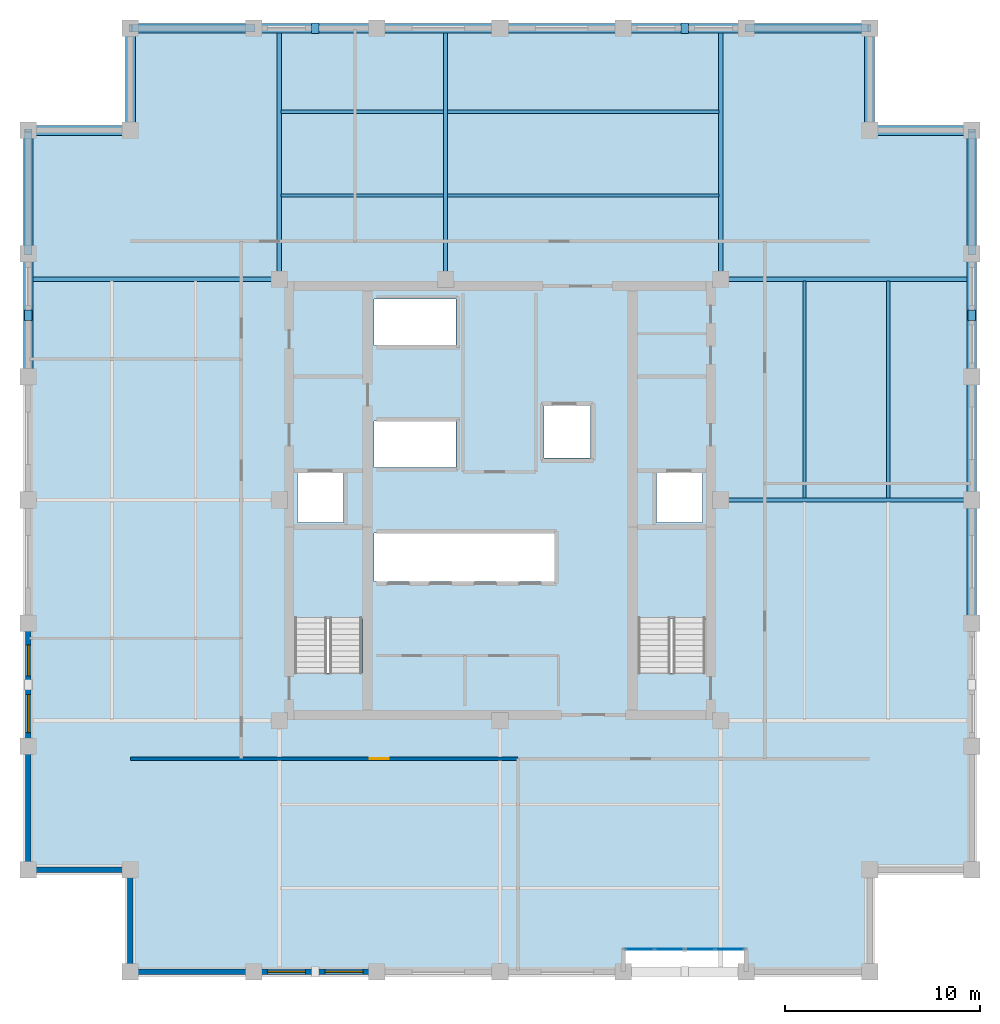
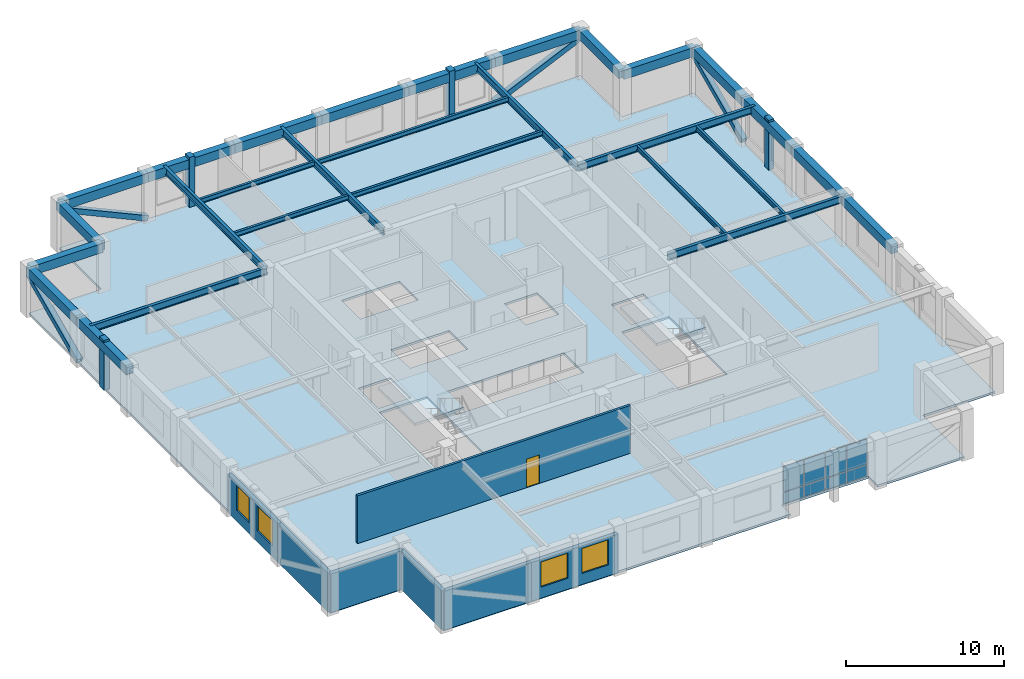
# One storey, part 5 of 10: 28 beams, 8 members, 8 plates, 7 walls, 4 windows, 3 slabs, 1 door, 5 openings, 3 elements without a shape of their own.
"""IFC4 building model written with IfcOpenShell, lengths in metres."""

from ifc_helpers import new_model, si_unit, direction, frame, frame_2d, origin, origin_2d, place, context, subcontext, project, spatial, polyline, rectangle, hollow_rectangle, i_section, outline, extrude, material, layer, layer_set, material_profile, profile_set, type_object, element, fill, aggregate, save


model = new_model("IFC4")

# Units and contexts
model_context = context("Model", 3, precision=1e-05, world=origin(), true_north=direction((0.0, 1.0)))
body_context = subcontext(model_context, "Body", "Model", "MODEL_VIEW")
ifc_project = project(units=[si_unit("LENGTHUNIT", "METRE"), si_unit("AREAUNIT", "SQUARE_METRE"), si_unit("VOLUMEUNIT", "CUBIC_METRE"), si_unit("PLANEANGLEUNIT", "RADIAN"), si_unit("MASSUNIT", "GRAM", prefix="KILO")], contexts=[model_context])

# Site, building, storey
site_placement = place(None, origin())
site = spatial("IfcSite", under=ifc_project, at=site_placement, CompositionType="ELEMENT")
building_placement = place(site_placement, origin())
building = spatial("IfcBuilding", under=site, at=building_placement, Name="Nhamokura Convention Tower", CompositionType="ELEMENT")
storey_placement = place(building_placement, frame((0.0, 0.0, 210.0)))
storey = spatial("IfcBuildingStorey", under=building, at=storey_placement, Name="L51", CompositionType="ELEMENT", Elevation=210.0)

# Members
ifc_material_1 = material(Name="Bronze-pigmented precast concrete C45/55", Category="concrete")
ifc_material_profile_1 = material_profile(ifc_material_1, rectangle(XDim=0.39990234375, YDim=0.550048828125, at=origin_2d()))
ifc_profile_set_1 = profile_set([ifc_material_profile_1], Name="Bronze-pigmented precast concrete C45/55")
member_type_1 = type_object("IfcMemberType", Name="BronzePilaster_550", PredefinedType="USERDEFINED", material=ifc_profile_set_1)
for number, where, z_axis, x_axis, name in (
    (1, (22.5, 56.25, 0.0), (0.0, 0.0, 1.0), (1.0, 0.0, 0.0), "L51 Engaged Frame Pilaster NORTH 1"),
    (2, (41.5, 56.25, 0.0), (0.0, 0.0, 1.0), (1.0, 0.0, 0.0), "L51 Engaged Frame Pilaster NORTH 4"),
    (3, (7.75, 41.5, 0.0), (0.0, 0.0, 1.0), (1.0, 0.0, 0.0), "L51 Engaged Frame Pilaster WEST 4"),
    (4, (56.25, 41.5, 0.0), (0.0, 0.0, 1.0), (1.0, 0.0, 0.0), "L51 Engaged Frame Pilaster EAST 4"),
):
    element("IfcMember", number, at=place(storey_placement, frame(where, z_axis=z_axis, x_axis=x_axis)), inside=storey, type_object=member_type_1, Name=name, ObjectType="PILASTER_TRIM", PredefinedType="USERDEFINED", context=body_context, shape_type="SweptSolid", body=[
        extrude(rectangle(XDim=0.39990234375, YDim=0.550048828125, at=origin_2d()), origin(), (0.0, 0.0, 1.0), 3.85009765625),
    ])

# Beams
ifc_material_2 = material(Name="Steel ASTM A992 Gr 50", Category="steel")
ifc_material_profile_2 = material_profile(ifc_material_2, i_section(OverallWidth=0.172119140625, OverallDepth=0.35791015625, WebThickness=0.0078125, FlangeThickness=0.01318359375, at=origin_2d()))
ifc_profile_set_2 = profile_set([ifc_material_profile_2], Name="Steel ASTM A992 Gr 50")
beam_type_1 = type_object("IfcBeamType", Name="FloorJoist_W360X57", PredefinedType="JOIST", material=ifc_profile_set_2)
beam_1_placement = place(storey_placement, frame((20.75341796875, 47.64990234375, 3.506103515625), z_axis=(1.0, 0.0, 0.0), x_axis=(0.0, 1.0, 0.0)))
element("IfcBeam", 5, at=beam_1_placement, inside=storey, type_object=beam_type_1, Name="L51 Composite Floor Joist N1A", PredefinedType="JOIST", context=body_context, shape_type="SweptSolid", body=[
    extrude(i_section(OverallWidth=0.172119140625, OverallDepth=0.35791015625, WebThickness=0.0078125, FlangeThickness=0.01318359375, at=origin_2d()), origin(), (0.0, 0.0, 1.0), 8.343017578125),
])
beam_2_placement = place(storey_placement, frame((29.303466796875, 47.64990234375, 3.506103515625), z_axis=(1.0, 0.0, 0.0), x_axis=(0.0, 1.0, 0.0)))
element("IfcBeam", 6, at=beam_2_placement, inside=storey, type_object=beam_type_1, Name="L51 Composite Floor Joist N1B", PredefinedType="JOIST", context=body_context, shape_type="SweptSolid", body=[
    extrude(i_section(OverallWidth=0.172119140625, OverallDepth=0.35791015625, WebThickness=0.0078125, FlangeThickness=0.01318359375, at=origin_2d()), origin(), (0.0, 0.0, 1.0), 13.943115234375),
])
beam_3_placement = place(storey_placement, frame((20.75341796875, 51.949951171875, 3.506103515625), z_axis=(1.0, 0.0, 0.0), x_axis=(0.0, 1.0, 0.0)))
element("IfcBeam", 7, at=beam_3_placement, inside=storey, type_object=beam_type_1, Name="L51 Composite Floor Joist N2A", PredefinedType="JOIST", context=body_context, shape_type="SweptSolid", body=[
    extrude(i_section(OverallWidth=0.172119140625, OverallDepth=0.35791015625, WebThickness=0.0078125, FlangeThickness=0.01318359375, at=origin_2d()), origin(), (0.0, 0.0, 1.0), 8.343017578125),
])
beam_4_placement = place(storey_placement, frame((29.303466796875, 51.949951171875, 3.506103515625), z_axis=(1.0, 0.0, 0.0), x_axis=(0.0, 1.0, 0.0)))
element("IfcBeam", 8, at=beam_4_placement, inside=storey, type_object=beam_type_1, Name="L51 Composite Floor Joist N2B", PredefinedType="JOIST", context=body_context, shape_type="SweptSolid", body=[
    extrude(i_section(OverallWidth=0.172119140625, OverallDepth=0.35791015625, WebThickness=0.0078125, FlangeThickness=0.01318359375, at=origin_2d()), origin(), (0.0, 0.0, 1.0), 13.943115234375),
])
for number, where, z_axis, x_axis, name in (
    (9, (47.64990234375, 32.103515625, 3.506103515625), (0.0, 1.0, 0.0), (-1.0, 0.0, 0.0), "L51 Composite Floor Joist E1B"),
    (10, (51.949951171875, 32.103515625, 3.506103515625), (0.0, 1.0, 0.0), (-1.0, 0.0, 0.0), "L51 Composite Floor Joist E2B"),
):
    element("IfcBeam", number, at=place(storey_placement, frame(where, z_axis=z_axis, x_axis=x_axis)), inside=storey, type_object=beam_type_1, Name=name, PredefinedType="JOIST", context=body_context, shape_type="SweptSolid", body=[
        extrude(i_section(OverallWidth=0.172119140625, OverallDepth=0.35791015625, WebThickness=0.0078125, FlangeThickness=0.01318359375, at=origin_2d()), origin(), (0.0, 0.0, 1.0), 11.14306640625),
    ])
ifc_material_3 = material(Name="Steel ASTM A992 Gr 50", Category="steel")
ifc_material_profile_3 = material_profile(ifc_material_3, i_section(OverallWidth=0.2109375, OverallDepth=0.5390625, WebThickness=0.01171875, FlangeThickness=0.018798828125, at=origin_2d()))
ifc_profile_set_3 = profile_set([ifc_material_profile_3], Name="Steel ASTM A992 Gr 50")
beam_type_2 = type_object("IfcBeamType", Name="PrimaryGirder_W530X109", PredefinedType="BEAM", material=ifc_profile_set_3)
for number, where, z_axis, x_axis, name in (
    (11, (20.64990234375, 43.35009765625, 3.41552734375), (0.0, 1.0, 0.0), (-1.0, 0.0, 0.0), "L51 Primary Floor Girder PG-N1"),
    (12, (29.199951171875, 43.35009765625, 3.41552734375), (0.0, 1.0, 0.0), (-1.0, 0.0, 0.0), "L51 Primary Floor Girder PG-N2"),
    (13, (43.35009765625, 43.35009765625, 3.41552734375), (0.0, 1.0, 0.0), (-1.0, 0.0, 0.0), "L51 Primary Floor Girder PG-N3"),
    (14, (7.75, 43.35009765625, 3.41552734375), (1.0, 0.0, 0.0), (0.0, 1.0, 0.0), "L51 Primary Floor Girder PG-W3"),
    (15, (43.35009765625, 32.0, 3.41552734375), (1.0, 0.0, 0.0), (0.0, 1.0, 0.0), "L51 Primary Floor Girder PG-E2"),
    (16, (43.35009765625, 43.35009765625, 3.41552734375), (1.0, 0.0, 0.0), (0.0, 1.0, 0.0), "L51 Primary Floor Girder PG-E3"),
):
    element("IfcBeam", number, at=place(storey_placement, frame(where, z_axis=z_axis, x_axis=x_axis)), inside=storey, type_object=beam_type_2, Name=name, PredefinedType="BEAM", context=body_context, shape_type="SweptSolid", body=[
        extrude(i_section(OverallWidth=0.2109375, OverallDepth=0.5390625, WebThickness=0.01171875, FlangeThickness=0.018798828125, at=origin_2d()), origin(), (0.0, 0.0, 1.0), 12.89990234375),
    ])

# Members
ifc_material_4 = material(Name="Steel ASTM A572 Gr 50", Category="steel")
ifc_material_profile_4 = material_profile(ifc_material_4, hollow_rectangle(XDim=0.39990234375, YDim=0.39990234375, WallThickness=0.02001953125, at=origin_2d()))
ifc_profile_set_4 = profile_set([ifc_material_profile_4], Name="Steel ASTM A572 Gr 50")
member_type_2 = type_object("IfcMemberType", Name="TubeBrace_HSS400", PredefinedType="BRACE", material=ifc_profile_set_4)
for number, where, z_axis, x_axis, name in (
    (17, (19.333251953125, 56.25, 0.14990234375), (-0.910027379678, 0.0, 0.41454814948), (0.0, -1.0, 0.0), "L51 Perimeter Tube Brace NORTH Bay 0"),
    (18, (44.666748046875, 56.25, 0.14990234375), (0.910027379678, 0.0, 0.41454814948), (0.0, 1.0, 0.0), "L51 Perimeter Tube Brace NORTH Bay 5"),
    (19, (7.75, 44.666748046875, 0.14990234375), (0.0, 0.910027379678, 0.41454814948), (-1.0, 0.0, 0.0), "L51 Perimeter Tube Brace WEST Bay 5"),
    (20, (56.25, 44.666748046875, 0.14990234375), (0.0, 0.910027379678, 0.41454814948), (-1.0, 0.0, 0.0), "L51 Perimeter Tube Brace EAST Bay 5"),
):
    element("IfcMember", number, at=place(storey_placement, frame(where, z_axis=z_axis, x_axis=x_axis)), inside=storey, type_object=member_type_2, Name=name, PredefinedType="BRACE", context=body_context, shape_type="SweptSolid", body=[
        extrude(hollow_rectangle(XDim=0.39990234375, YDim=0.39990234375, WallThickness=0.02001953125, at=origin_2d()), origin(), (0.0, 0.0, 1.0), 6.95947265625),
    ])

# Beams
ifc_material_5 = material(Name="Concrete C50/60", Category="concrete")
ifc_material_profile_5 = material_profile(ifc_material_5, rectangle(XDim=0.5, YDim=0.699951171875, at=origin_2d()))
ifc_profile_set_5 = profile_set([ifc_material_profile_5], Name="Concrete C50/60")
beam_type_3 = type_object("IfcBeamType", Name="TubeSpandrel_700", PredefinedType="SPANDREL", material=ifc_profile_set_5)
beam_5_placement = place(storey_placement, frame((13.0, 56.25, 3.3349609375), z_axis=(1.0, 0.0, 0.0), x_axis=(0.0, 1.0, 0.0)))
element("IfcBeam", 21, at=beam_5_placement, inside=storey, type_object=beam_type_3, Name="L51 Perimeter Spandrel NORTH 1", PredefinedType="SPANDREL", context=body_context, shape_type="SweptSolid", body=[
    extrude(rectangle(XDim=0.5, YDim=0.699951171875, at=origin_2d()), origin(), (0.0, 0.0, 1.0), 6.333251953125),
])
beam_6_placement = place(storey_placement, frame((19.333251953125, 56.25, 3.3349609375), z_axis=(1.0, 0.0, 0.0), x_axis=(0.0, 1.0, 0.0)))
element("IfcBeam", 22, at=beam_6_placement, inside=storey, type_object=beam_type_3, Name="L51 Perimeter Spandrel NORTH 2", PredefinedType="SPANDREL", context=body_context, shape_type="SweptSolid", body=[
    extrude(rectangle(XDim=0.5, YDim=0.699951171875, at=origin_2d()), origin(), (0.0, 0.0, 1.0), 6.33349609375),
])
for number, where, z_axis, x_axis, name in (
    (23, (25.666748046875, 56.25, 3.3349609375), (1.0, 0.0, 0.0), (0.0, 1.0, 0.0), "L51 Perimeter Spandrel NORTH 3"),
    (24, (32.0, 56.25, 3.3349609375), (1.0, 0.0, 0.0), (0.0, 1.0, 0.0), "L51 Perimeter Spandrel NORTH 4"),
):
    element("IfcBeam", number, at=place(storey_placement, frame(where, z_axis=z_axis, x_axis=x_axis)), inside=storey, type_object=beam_type_3, Name=name, PredefinedType="SPANDREL", context=body_context, shape_type="SweptSolid", body=[
        extrude(rectangle(XDim=0.5, YDim=0.699951171875, at=origin_2d()), origin(), (0.0, 0.0, 1.0), 6.333251953125),
    ])
beam_7_placement = place(storey_placement, frame((38.333251953125, 56.25, 3.3349609375), z_axis=(1.0, 0.0, 0.0), x_axis=(0.0, 1.0, 0.0)))
element("IfcBeam", 25, at=beam_7_placement, inside=storey, type_object=beam_type_3, Name="L51 Perimeter Spandrel NORTH 5", PredefinedType="SPANDREL", context=body_context, shape_type="SweptSolid", body=[
    extrude(rectangle(XDim=0.5, YDim=0.699951171875, at=origin_2d()), origin(), (0.0, 0.0, 1.0), 6.33349609375),
])
beam_8_placement = place(storey_placement, frame((44.666748046875, 56.25, 3.3349609375), z_axis=(1.0, 0.0, 0.0), x_axis=(0.0, 1.0, 0.0)))
element("IfcBeam", 26, at=beam_8_placement, inside=storey, type_object=beam_type_3, Name="L51 Perimeter Spandrel NORTH 6", PredefinedType="SPANDREL", context=body_context, shape_type="SweptSolid", body=[
    extrude(rectangle(XDim=0.5, YDim=0.699951171875, at=origin_2d()), origin(), (0.0, 0.0, 1.0), 6.333251953125),
])
beam_9_placement = place(storey_placement, frame((7.75, 38.333251953125, 3.3349609375), z_axis=(0.0, 1.0, 0.0), x_axis=(-1.0, 0.0, 0.0)))
element("IfcBeam", 27, at=beam_9_placement, inside=storey, type_object=beam_type_3, Name="L51 Perimeter Spandrel WEST 5", PredefinedType="SPANDREL", context=body_context, shape_type="SweptSolid", body=[
    extrude(rectangle(XDim=0.5, YDim=0.699951171875, at=origin_2d()), origin(), (0.0, 0.0, 1.0), 6.33349609375),
])
for number, where, z_axis, x_axis, name in (
    (28, (7.75, 44.666748046875, 3.3349609375), (0.0, 1.0, 0.0), (-1.0, 0.0, 0.0), "L51 Perimeter Spandrel WEST 6"),
    (29, (56.25, 25.666748046875, 3.3349609375), (0.0, 1.0, 0.0), (-1.0, 0.0, 0.0), "L51 Perimeter Spandrel EAST 3"),
    (30, (56.25, 32.0, 3.3349609375), (0.0, 1.0, 0.0), (-1.0, 0.0, 0.0), "L51 Perimeter Spandrel EAST 4"),
):
    element("IfcBeam", number, at=place(storey_placement, frame(where, z_axis=z_axis, x_axis=x_axis)), inside=storey, type_object=beam_type_3, Name=name, PredefinedType="SPANDREL", context=body_context, shape_type="SweptSolid", body=[
        extrude(rectangle(XDim=0.5, YDim=0.699951171875, at=origin_2d()), origin(), (0.0, 0.0, 1.0), 6.333251953125),
    ])
beam_10_placement = place(storey_placement, frame((56.25, 38.333251953125, 3.3349609375), z_axis=(0.0, 1.0, 0.0), x_axis=(-1.0, 0.0, 0.0)))
element("IfcBeam", 31, at=beam_10_placement, inside=storey, type_object=beam_type_3, Name="L51 Perimeter Spandrel EAST 5", PredefinedType="SPANDREL", context=body_context, shape_type="SweptSolid", body=[
    extrude(rectangle(XDim=0.5, YDim=0.699951171875, at=origin_2d()), origin(), (0.0, 0.0, 1.0), 6.33349609375),
])
beam_11_placement = place(storey_placement, frame((56.25, 44.666748046875, 3.3349609375), z_axis=(0.0, 1.0, 0.0), x_axis=(-1.0, 0.0, 0.0)))
element("IfcBeam", 32, at=beam_11_placement, inside=storey, type_object=beam_type_3, Name="L51 Perimeter Spandrel EAST 6", PredefinedType="SPANDREL", context=body_context, shape_type="SweptSolid", body=[
    extrude(rectangle(XDim=0.5, YDim=0.699951171875, at=origin_2d()), origin(), (0.0, 0.0, 1.0), 6.333251953125),
])
for number, where, z_axis, x_axis, name in (
    (33, (56.25, 51.0, 3.3349609375), (-1.0, 0.0, 0.0), (0.0, -1.0, 0.0), "L51 Notch Spandrel NE1"),
    (34, (51.0, 51.0, 3.3349609375), (0.0, 1.0, 0.0), (-1.0, 0.0, 0.0), "L51 Notch Spandrel NE2"),
    (35, (13.0, 56.25, 3.3349609375), (0.0, -1.0, 0.0), (1.0, 0.0, 0.0), "L51 Notch Spandrel NW1"),
    (36, (13.0, 51.0, 3.3349609375), (-1.0, 0.0, 0.0), (0.0, -1.0, 0.0), "L51 Notch Spandrel NW2"),
):
    element("IfcBeam", number, at=place(storey_placement, frame(where, z_axis=z_axis, x_axis=x_axis)), inside=storey, type_object=beam_type_3, Name=name, PredefinedType="SPANDREL", context=body_context, shape_type="SweptSolid", body=[
        extrude(rectangle(XDim=0.5, YDim=0.699951171875, at=origin_2d()), origin(), (0.0, 0.0, 1.0), 5.25),
    ])

# Curtain wall, plates
ifc_material_6 = material(Name="Anodised bronze aluminium AA6063-T6", Category="aluminium")
ifc_layer_1 = layer(ifc_material_6, 0.155029296875)
ifc_layer_set_1 = layer_set([ifc_layer_1], Name="CWSystem_ScaleSlot_Zone3")
curtain_wall_type = type_object("IfcCurtainWallType", Name="CWSystem_ScaleSlot_Zone3", PredefinedType="NOTDEFINED", material=ifc_layer_set_1)
curtain_wall_placement = place(storey_placement, origin())
curtain_wall = element("IfcCurtainWall", 37, at=curtain_wall_placement, inside=storey, type_object=curtain_wall_type, Name="L51 Curtain Wall ENV-L51-SLOT-S4", PredefinedType="NOTDEFINED")
ifc_material_7 = material(Name="Solar-control bronze low-E double glass", Category="glass")
ifc_layer_2 = layer(ifc_material_7, 0.0400390625)
ifc_layer_set_2 = layer_set([ifc_layer_2], Name="CWGlazedPanel_3")
plate_type = type_object("IfcPlateType", Name="CWGlazedPanel_3", PredefinedType="CURTAIN_PANEL", material=ifc_layer_set_2)
plate_1_placement = place(storey_placement, frame((43.813720703125, 8.89990234375, 0.06494140625), z_axis=(0.0, 0.0, 1.0), x_axis=(-1.0, 0.0, 0.0)))
plate_1 = element("IfcPlate", 38, at=plate_1_placement, type_object=plate_type, Name="CW-05 panel 1.1", PredefinedType="CURTAIN_PANEL", context=body_context, shape_type="SweptSolid", body=[
    extrude(rectangle(XDim=1.455810546875, YDim=0.0400390625, at=origin_2d()), origin(), (0.0, 0.0, 1.0), 0.8525390625),
])
plate_2_placement = place(storey_placement, frame((43.813720703125, 8.89990234375, 0.982421875), z_axis=(0.0, 0.0, 1.0), x_axis=(-1.0, 0.0, 0.0)))
plate_2 = element("IfcPlate", 39, at=plate_2_placement, type_object=plate_type, Name="CW-05 panel 1.2", PredefinedType="CURTAIN_PANEL", context=body_context, shape_type="SweptSolid", body=[
    extrude(rectangle(XDim=1.455810546875, YDim=0.0400390625, at=origin_2d()), origin(), (0.0, 0.0, 1.0), 1.9375),
])
plate_3_placement = place(storey_placement, frame((42.276611328125, 8.89990234375, 0.06494140625), z_axis=(0.0, 0.0, 1.0), x_axis=(-1.0, 0.0, 0.0)))
plate_3 = element("IfcPlate", 40, at=plate_3_placement, type_object=plate_type, Name="CW-05 panel 2.1", PredefinedType="CURTAIN_PANEL", context=body_context, shape_type="SweptSolid", body=[
    extrude(rectangle(XDim=1.48828125, YDim=0.0400390625, at=origin_2d()), origin(), (0.0, 0.0, 1.0), 0.8525390625),
])
plate_4_placement = place(storey_placement, frame((42.276611328125, 8.89990234375, 0.982421875), z_axis=(0.0, 0.0, 1.0), x_axis=(-1.0, 0.0, 0.0)))
plate_4 = element("IfcPlate", 41, at=plate_4_placement, type_object=plate_type, Name="CW-05 panel 2.2", PredefinedType="CURTAIN_PANEL", context=body_context, shape_type="SweptSolid", body=[
    extrude(rectangle(XDim=1.48828125, YDim=0.0400390625, at=origin_2d()), origin(), (0.0, 0.0, 1.0), 1.9375),
])
plate_5_placement = place(storey_placement, frame((40.723388671875, 8.89990234375, 0.06494140625), z_axis=(0.0, 0.0, 1.0), x_axis=(-1.0, 0.0, 0.0)))
plate_5 = element("IfcPlate", 42, at=plate_5_placement, type_object=plate_type, Name="CW-05 panel 3.1", PredefinedType="CURTAIN_PANEL", context=body_context, shape_type="SweptSolid", body=[
    extrude(rectangle(XDim=1.48828125, YDim=0.0400390625, at=origin_2d()), origin(), (0.0, 0.0, 1.0), 0.8525390625),
])
plate_6_placement = place(storey_placement, frame((40.723388671875, 8.89990234375, 0.982421875), z_axis=(0.0, 0.0, 1.0), x_axis=(-1.0, 0.0, 0.0)))
plate_6 = element("IfcPlate", 43, at=plate_6_placement, type_object=plate_type, Name="CW-05 panel 3.2", PredefinedType="CURTAIN_PANEL", context=body_context, shape_type="SweptSolid", body=[
    extrude(rectangle(XDim=1.48828125, YDim=0.0400390625, at=origin_2d()), origin(), (0.0, 0.0, 1.0), 1.9375),
])
plate_7_placement = place(storey_placement, frame((39.186279296875, 8.89990234375, 0.06494140625), z_axis=(0.0, 0.0, 1.0), x_axis=(-1.0, 0.0, 0.0)))
plate_7 = element("IfcPlate", 44, at=plate_7_placement, type_object=plate_type, Name="CW-05 panel 4.1", PredefinedType="CURTAIN_PANEL", context=body_context, shape_type="SweptSolid", body=[
    extrude(rectangle(XDim=1.455810546875, YDim=0.0400390625, at=origin_2d()), origin(), (0.0, 0.0, 1.0), 0.8525390625),
])
plate_8_placement = place(storey_placement, frame((39.186279296875, 8.89990234375, 0.982421875), z_axis=(0.0, 0.0, 1.0), x_axis=(-1.0, 0.0, 0.0)))
plate_8 = element("IfcPlate", 45, at=plate_8_placement, type_object=plate_type, Name="CW-05 panel 4.2", PredefinedType="CURTAIN_PANEL", context=body_context, shape_type="SweptSolid", body=[
    extrude(rectangle(XDim=1.455810546875, YDim=0.0400390625, at=origin_2d()), origin(), (0.0, 0.0, 1.0), 1.9375),
])
aggregate(curtain_wall, [plate_1, plate_2, plate_3, plate_4, plate_5, plate_6, plate_7, plate_8])

# Slab
ifc_material_8 = material(Name="Concrete C40/50", Category="concrete")
ifc_layer_3 = layer(ifc_material_8, 0.1650390625)
ifc_layer_set_3 = layer_set([ifc_layer_3], Name="OfficeFloorSlab_165")
slab_type_1 = type_object("IfcSlabType", Name="OfficeFloorSlab_165", PredefinedType="FLOOR", material=ifc_layer_set_3)
slab_1_placement = place(storey_placement, frame((0.0, 0.0, -0.1650390625)))
element("IfcSlab", 46, at=slab_1_placement, inside=storey, type_object=slab_type_1, Name="L51 Structural Floor Slab", PredefinedType="FLOOR", context=body_context, shape_type="SweptSolid", body=[
    extrude(outline(polyline([(13.0, 7.75), (38.333251953125, 7.75), (38.333251953125, 8.89990234375), (44.666748046875, 8.89990234375), (44.666748046875, 7.75), (51.0, 7.75), (51.0, 13.0), (56.25, 13.0), (56.25, 51.0), (51.0, 51.0), (51.0, 56.25), (13.0, 56.25), (13.0, 51.0), (7.75, 51.0), (7.75, 13.0), (13.0, 13.0), (13.0, 7.75)]), holes=[polyline([(24.89990234375, 23.10009765625), (24.89990234375, 30.449951171875), (21.449951171875, 30.449951171875), (21.449951171875, 23.10009765625), (24.89990234375, 23.10009765625)]), polyline([(42.550048828125, 23.10009765625), (42.550048828125, 30.449951171875), (39.10009765625, 30.449951171875), (39.10009765625, 23.10009765625), (42.550048828125, 23.10009765625)]), polyline([(21.60009765625, 30.85009765625), (23.949951171875, 30.85009765625), (23.949951171875, 33.39990234375), (21.60009765625, 33.39990234375), (21.60009765625, 30.85009765625)]), polyline([(40.050048828125, 30.85009765625), (42.39990234375, 30.85009765625), (42.39990234375, 33.39990234375), (40.050048828125, 33.39990234375), (40.050048828125, 30.85009765625)]), polyline([(34.25, 34.14990234375), (36.64990234375, 34.14990234375), (36.64990234375, 36.85009765625), (34.25, 36.85009765625), (34.25, 34.14990234375)]), polyline([(25.52001953125, 27.800048828125), (34.800048828125, 27.800048828125), (34.800048828125, 30.300048828125), (25.52001953125, 30.300048828125), (25.52001953125, 27.800048828125)]), polyline([(25.52001953125, 33.679931640625), (29.75, 33.679931640625), (29.75, 36.050048828125), (25.52001953125, 36.050048828125), (25.52001953125, 33.679931640625)]), polyline([(25.52001953125, 39.949951171875), (29.75, 39.949951171875), (29.75, 42.320068359375), (25.52001953125, 42.320068359375), (25.52001953125, 39.949951171875)])]), origin(), (0.0, 0.0, 1.0), 0.1650390625),
])

# Stair, slab
ifc_material_9 = material(Name="Concrete C40/50", Category="concrete")
stair_type = type_object("IfcStairType", Name="TowerCoreStair_1650", PredefinedType="HALF_TURN_STAIR", material=ifc_material_9)
stair_1_placement = place(storey_placement, origin())
stair_1 = element("IfcStair", 47, at=stair_1_placement, inside=storey, type_object=stair_type, Name="L51 West Core Smokeproof Stair ST-01", PredefinedType="HALF_TURN_STAIR")
ifc_material_10 = material(Name="Concrete C40/50", Category="concrete")
ifc_layer_4 = layer(ifc_material_10, 0.199951171875)
ifc_layer_set_4 = layer_set([ifc_layer_4], Name="StairLandingSlab_200")
slab_type_2 = type_object("IfcSlabType", Name="StairLandingSlab_200", PredefinedType="LANDING", material=ifc_layer_set_4)
slab_2_placement = place(storey_placement, frame((0.0, 0.0, 1.72509765625)))
slab_2 = element("IfcSlab", 48, at=slab_2_placement, type_object=slab_type_2, Name="ST-01 landing 1", PredefinedType="LANDING", context=body_context, shape_type="SweptSolid", body=[
    extrude(outline(polyline([(24.97998046875, 25.8701171875), (24.97998046875, 30.530029296875), (21.3701171875, 30.530029296875), (21.3701171875, 25.8701171875), (24.97998046875, 25.8701171875)])), origin(), (0.0, 0.0, 1.0), 0.199951171875),
])
aggregate(stair_1, [slab_2])

stair_2_placement = place(storey_placement, origin())
stair_2 = element("IfcStair", 49, at=stair_2_placement, inside=storey, type_object=stair_type, Name="L51 East Core Smokeproof Stair ST-02", PredefinedType="HALF_TURN_STAIR")
slab_3_placement = place(storey_placement, frame((0.0, 0.0, 1.72509765625)))
slab_3 = element("IfcSlab", 50, at=slab_3_placement, type_object=slab_type_2, Name="ST-02 landing 1", PredefinedType="LANDING", context=body_context, shape_type="SweptSolid", body=[
    extrude(outline(polyline([(42.6298828125, 25.8701171875), (42.6298828125, 30.530029296875), (39.02001953125, 30.530029296875), (39.02001953125, 25.8701171875), (42.6298828125, 25.8701171875)])), origin(), (0.0, 0.0, 1.0), 0.199951171875),
])
aggregate(stair_2, [slab_3])

# Wall
ifc_material_11 = material(Name="Bronze-pigmented precast concrete C45/55", Category="concrete")
ifc_layer_5 = layer(ifc_material_11, 0.280029296875)
ifc_layer_set_5 = layer_set([ifc_layer_5], Name="BronzePrecastSpandrel_280")
wall_type_1 = type_object("IfcWallType", Name="BronzePrecastSpandrel_280", PredefinedType="USERDEFINED", material=ifc_layer_set_5)
wall_1_placement = place(storey_placement, frame((19.333251953125, 7.75, 0.0), z_axis=(0.0, 0.0, 1.0), x_axis=(-1.0, 0.0, 0.0)))
element("IfcWall", 51, at=wall_1_placement, inside=storey, type_object=wall_type_1, Name="L51 Braced-Bay Precast Wall SOUTH 0", ObjectType="SPANDREL_WALL", PredefinedType="USERDEFINED", context=body_context, shape_type="SweptSolid", body=[
    extrude(rectangle(XDim=6.333251953125, YDim=0.280029296875, at=frame_2d((3.16650390625, 0.0))), origin(), (0.0, 0.0, 1.0), 2.985107421875),
])

# Wall, openings, windows
wall_2_placement = place(storey_placement, frame((25.666748046875, 7.75, 0.0), z_axis=(0.0, 0.0, 1.0), x_axis=(-1.0, 0.0, 0.0)))
wall_2 = element("IfcWall", 52, at=wall_2_placement, inside=storey, type_object=wall_type_1, Name="L51 Masonry-Frame Wall SOUTH 1", ObjectType="SPANDREL_WALL", PredefinedType="USERDEFINED", context=body_context, shape_type="SweptSolid", body=[
    extrude(rectangle(XDim=6.33349609375, YDim=0.280029296875, at=frame_2d((3.166748046875, 0.0))), origin(), (0.0, 0.0, 1.0), 2.985107421875),
])
opening_1_placement = place(wall_2_placement, frame((0.708251953125, 0.0, 0.85009765625)))
opening_1 = element("IfcOpeningElement", 53, at=opening_1_placement, cuts=wall_2, Name="Opening W-08", PredefinedType="OPENING", context=body_context, shape_type="SweptSolid", body=[
    extrude(rectangle(XDim=1.949951171875, YDim=1.93505859375, at=frame_2d((0.97509765625, 0.967529296875))), frame((0.0, 0.14990234375, 0.0), z_axis=(0.0, -1.0, 0.0), x_axis=(1.0, 0.0, 0.0)), (0.0, 0.0, 1.0), 0.300048828125),
])
opening_2_placement = place(wall_2_placement, frame((3.675048828125, 0.0, 0.85009765625)))
opening_2 = element("IfcOpeningElement", 54, at=opening_2_placement, cuts=wall_2, Name="Opening W-08", PredefinedType="OPENING", context=body_context, shape_type="SweptSolid", body=[
    extrude(rectangle(XDim=1.949951171875, YDim=1.93505859375, at=frame_2d((0.97509765625, 0.967529296875))), frame((0.0, 0.14990234375, 0.0), z_axis=(0.0, -1.0, 0.0), x_axis=(1.0, 0.0, 0.0)), (0.0, 0.0, 1.0), 0.300048828125),
])
ifc_material_12 = material(Name="Solar-control bronze low-E double glass", Category="glass")
window_type_1 = type_object("IfcWindowType", Name="OfficeModuleWindow_Z3_1950", PartitioningType="SINGLE_PANEL", PredefinedType="WINDOW", material=ifc_material_12)
window_1_placement = place(opening_1_placement, origin())
window_1 = element("IfcWindow", 55, at=window_1_placement, inside=storey, type_object=window_type_1, Name="L51 Facade Window SOUTH 1-1", OverallHeight=1.93505859375, OverallWidth=1.949951171875, PartitioningType="SINGLE_PANEL", PredefinedType="WINDOW", context=body_context, shape_type="SweptSolid", body=[
    extrude(rectangle(XDim=1.949951171875, YDim=1.93505859375, at=frame_2d((0.97509765625, 0.967529296875))), frame((0.0, 0.030029296875, 0.0), z_axis=(0.0, -1.0, 0.0), x_axis=(1.0, 0.0, 0.0)), (0.0, 0.0, 1.0), 0.06005859375),
])
fill(opening_1, window_1)
window_2_placement = place(opening_2_placement, origin())
window_2 = element("IfcWindow", 56, at=window_2_placement, inside=storey, type_object=window_type_1, Name="L51 Facade Window SOUTH 1-2", OverallHeight=1.93505859375, OverallWidth=1.949951171875, PartitioningType="SINGLE_PANEL", PredefinedType="WINDOW", context=body_context, shape_type="SweptSolid", body=[
    extrude(rectangle(XDim=1.949951171875, YDim=1.93505859375, at=frame_2d((0.97509765625, 0.967529296875))), frame((0.0, 0.030029296875, 0.0), z_axis=(0.0, -1.0, 0.0), x_axis=(1.0, 0.0, 0.0)), (0.0, 0.0, 1.0), 0.06005859375),
])
fill(opening_2, window_2)

# Wall
wall_3_placement = place(storey_placement, frame((7.75, 13.0, 0.0), z_axis=(0.0, 0.0, 1.0), x_axis=(0.0, 1.0, 0.0)))
element("IfcWall", 57, at=wall_3_placement, inside=storey, type_object=wall_type_1, Name="L51 Braced-Bay Precast Wall WEST 0", ObjectType="SPANDREL_WALL", PredefinedType="USERDEFINED", context=body_context, shape_type="SweptSolid", body=[
    extrude(rectangle(XDim=6.333251953125, YDim=0.280029296875, at=frame_2d((3.16650390625, 0.0))), origin(), (0.0, 0.0, 1.0), 2.985107421875),
])

# Wall, openings, windows
wall_4_placement = place(storey_placement, frame((7.75, 19.333251953125, 0.0), z_axis=(0.0, 0.0, 1.0), x_axis=(0.0, 1.0, 0.0)))
wall_4 = element("IfcWall", 58, at=wall_4_placement, inside=storey, type_object=wall_type_1, Name="L51 Masonry-Frame Wall WEST 1", ObjectType="SPANDREL_WALL", PredefinedType="USERDEFINED", context=body_context, shape_type="SweptSolid", body=[
    extrude(rectangle(XDim=6.33349609375, YDim=0.280029296875, at=frame_2d((3.166748046875, 0.0))), origin(), (0.0, 0.0, 1.0), 2.985107421875),
])
opening_3_placement = place(wall_4_placement, frame((0.708251953125, 0.0, 0.85009765625)))
opening_3 = element("IfcOpeningElement", 59, at=opening_3_placement, cuts=wall_4, Name="Opening W-08", PredefinedType="OPENING", context=body_context, shape_type="SweptSolid", body=[
    extrude(rectangle(XDim=1.949951171875, YDim=1.93505859375, at=frame_2d((0.97509765625, 0.967529296875))), frame((0.0, 0.14990234375, 0.0), z_axis=(0.0, -1.0, 0.0), x_axis=(1.0, 0.0, 0.0)), (0.0, 0.0, 1.0), 0.300048828125),
])
opening_4_placement = place(wall_4_placement, frame((3.625, 0.0, 0.85009765625)))
opening_4 = element("IfcOpeningElement", 60, at=opening_4_placement, cuts=wall_4, Name="Opening W-11", PredefinedType="OPENING", context=body_context, shape_type="SweptSolid", body=[
    extrude(rectangle(XDim=1.60009765625, YDim=1.93505859375, at=frame_2d((0.800048828125, 0.967529296875))), frame((0.0, 0.14990234375, 0.0), z_axis=(0.0, -1.0, 0.0), x_axis=(1.0, 0.0, 0.0)), (0.0, 0.0, 1.0), 0.300048828125),
])
ifc_material_13 = material(Name="Solar-control bronze low-E double glass", Category="glass")
window_type_2 = type_object("IfcWindowType", Name="NotchCornerWindow_1600", PartitioningType="SINGLE_PANEL", PredefinedType="WINDOW", material=ifc_material_13)
window_3_placement = place(opening_4_placement, origin())
window_3 = element("IfcWindow", 61, at=window_3_placement, inside=storey, type_object=window_type_2, Name="L51 Facade Window WEST 1-2", OverallHeight=1.93505859375, OverallWidth=1.60009765625, PartitioningType="SINGLE_PANEL", PredefinedType="WINDOW", context=body_context, shape_type="SweptSolid", body=[
    extrude(rectangle(XDim=1.60009765625, YDim=1.93505859375, at=frame_2d((0.800048828125, 0.967529296875))), frame((0.0, 0.030029296875, 0.0), z_axis=(0.0, -1.0, 0.0), x_axis=(1.0, 0.0, 0.0)), (0.0, 0.0, 1.0), 0.06005859375),
])
fill(opening_4, window_3)
window_4_placement = place(opening_3_placement, origin())
window_4 = element("IfcWindow", 62, at=window_4_placement, inside=storey, type_object=window_type_1, Name="L51 Facade Window WEST 1-1", OverallHeight=1.93505859375, OverallWidth=1.949951171875, PartitioningType="SINGLE_PANEL", PredefinedType="WINDOW", context=body_context, shape_type="SweptSolid", body=[
    extrude(rectangle(XDim=1.949951171875, YDim=1.93505859375, at=frame_2d((0.97509765625, 0.967529296875))), frame((0.0, 0.030029296875, 0.0), z_axis=(0.0, -1.0, 0.0), x_axis=(1.0, 0.0, 0.0)), (0.0, 0.0, 1.0), 0.06005859375),
])
fill(opening_3, window_4)

# Walls
for number, where, z_axis, x_axis, name in (
    (63, (13.0, 7.75, 0.0), (0.0, 0.0, 1.0), (0.0, 1.0, 0.0), "L51 Notched Corner Wall SW1"),
    (64, (13.0, 13.0, 0.0), (0.0, 0.0, 1.0), (-1.0, 0.0, 0.0), "L51 Notched Corner Wall SW2"),
):
    element("IfcWall", number, at=place(storey_placement, frame(where, z_axis=z_axis, x_axis=x_axis)), inside=storey, type_object=wall_type_1, Name=name, ObjectType="SPANDREL_WALL", PredefinedType="USERDEFINED", context=body_context, shape_type="SweptSolid", body=[
        extrude(rectangle(XDim=5.25, YDim=0.280029296875, at=frame_2d((2.625, 0.0))), origin(), (0.0, 0.0, 1.0), 2.985107421875),
    ])

# Wall, opening, door
ifc_material_14 = material(Name="Fire-rated gypsum and masonry partition", Category="masonry")
ifc_layer_6 = layer(ifc_material_14, 0.179931640625)
ifc_layer_set_6 = layer_set([ifc_layer_6], Name="CorridorRatedWall_180")
wall_type_2 = type_object("IfcWallType", Name="CorridorRatedWall_180", PredefinedType="STANDARD", material=ifc_layer_set_6)
wall_5_placement = place(storey_placement, frame((13.0, 18.699951171875, 0.0), z_axis=(0.0, 0.0, 1.0), x_axis=(1.0, 0.0, 0.0)))
wall_5 = element("IfcWall", 65, at=wall_5_placement, inside=storey, type_object=wall_type_2, Name="L51 Wall INT-L51-CW-S00", PredefinedType="STANDARD", context=body_context, shape_type="SweptSolid", body=[
    extrude(rectangle(XDim=19.925048828125, YDim=0.179931640625, at=frame_2d((9.96240234375, 0.0))), origin(), (0.0, 0.0, 1.0), 3.68505859375),
])
opening_5_placement = place(wall_5_placement, frame((12.3125, 0.0, 0.0)))
opening_5 = element("IfcOpeningElement", 66, at=opening_5_placement, cuts=wall_5, Name="Opening D-08", PredefinedType="OPENING", context=body_context, shape_type="SweptSolid", body=[
    extrude(rectangle(XDim=0.97998046875, YDim=2.199951171875, at=frame_2d((0.489990234375, 1.10009765625))), frame((0.0, 0.099853515625, 0.0), z_axis=(0.0, -1.0, 0.0), x_axis=(1.0, 0.0, 0.0)), (0.0, 0.0, 1.0), 0.199951171875),
])
ifc_material_15 = material(Name="Solid oak hardwood", Category="wood")
door_type = type_object("IfcDoorType", Name="OfficeEntryDoor_980", OperationType="NOTDEFINED", PredefinedType="DOOR", material=ifc_material_15)
door_placement = place(opening_5_placement, origin())
door = element("IfcDoor", 67, at=door_placement, inside=storey, type_object=door_type, Name="L51 Design Studio S01 Door", OperationType="SINGLE_SWING_LEFT", OverallHeight=2.199951171875, OverallWidth=0.97998046875, PredefinedType="DOOR", context=body_context, shape_type="SweptSolid", body=[
    extrude(rectangle(XDim=0.97998046875, YDim=2.199951171875, at=frame_2d((0.489990234375, 1.10009765625))), frame((0.0, 0.02490234375, 0.0), z_axis=(0.0, -1.0, 0.0), x_axis=(1.0, 0.0, 0.0)), (0.0, 0.0, 1.0), 0.050048828125),
])
fill(opening_5, door)

save(model, "model.ifc")
